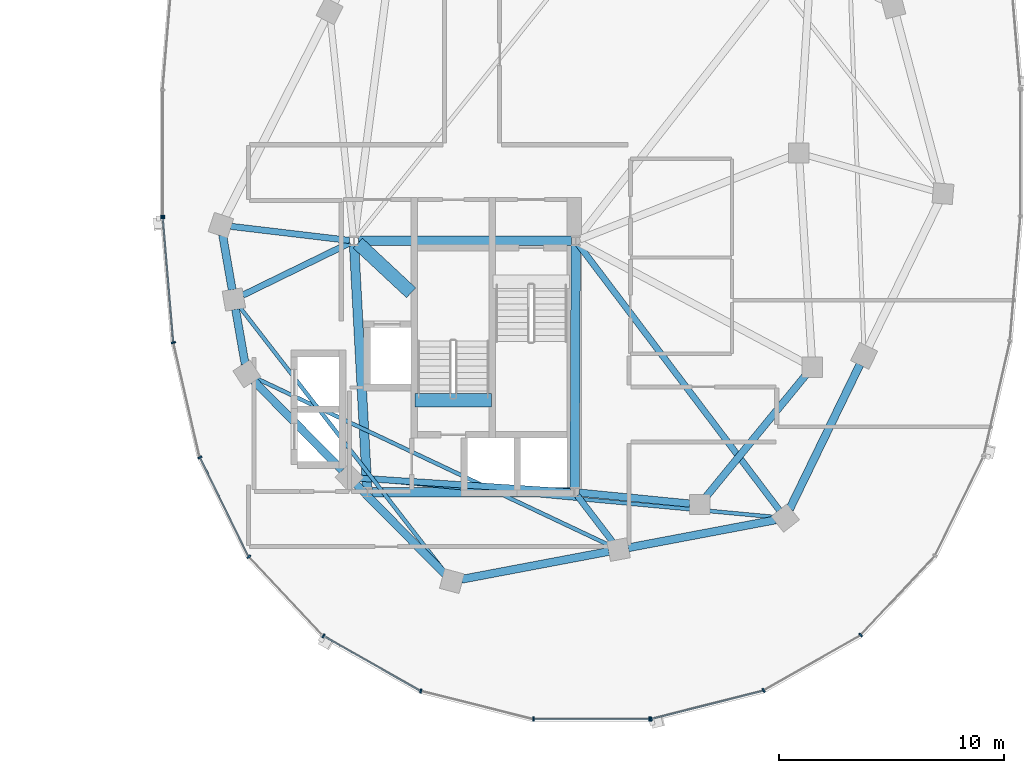
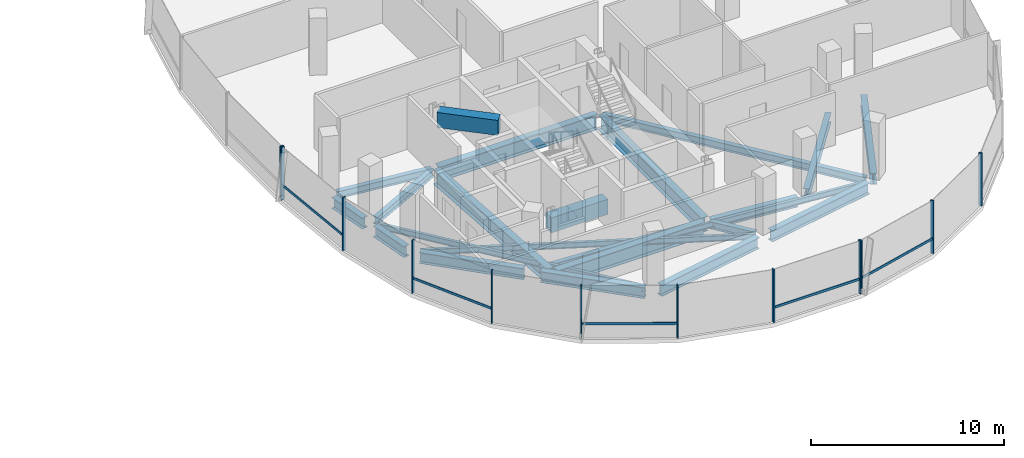
# One storey, part 8 of 25: 23 beams, 17 members, 3 elements without a shape of their own.
"""IFC4 building model written with IfcOpenShell, lengths in metres."""

from ifc_helpers import new_model, si_unit, direction, frame, origin, origin_2d, place, context, subcontext, project, spatial, rectangle, i_section, extrude, material, material_profile, profile_set, type_object, element, aggregate, save


model = new_model("IFC4")

# Units and contexts
model_context = context("Model", 3, precision=1e-05, world=origin(), true_north=direction((0.0, 1.0)))
body_context = subcontext(model_context, "Body", "Model", "MODEL_VIEW")
ifc_project = project(units=[si_unit("LENGTHUNIT", "METRE"), si_unit("AREAUNIT", "SQUARE_METRE"), si_unit("VOLUMEUNIT", "CUBIC_METRE"), si_unit("PLANEANGLEUNIT", "RADIAN"), si_unit("MASSUNIT", "GRAM", prefix="KILO"), si_unit("THERMODYNAMICTEMPERATUREUNIT", "KELVIN"), si_unit("POWERUNIT", "WATT")], contexts=[model_context])

# Site, building, storey
site_placement = place(None, origin())
site = spatial("IfcSite", under=ifc_project, at=site_placement, CompositionType="ELEMENT")
building_placement = place(site_placement, origin())
building = spatial("IfcBuilding", under=site, at=building_placement, Name="Cundina Bronze Exchange", CompositionType="ELEMENT")
storey_placement = place(building_placement, frame((0.0, 0.0, 206.199951171875)))
storey = spatial("IfcBuildingStorey", under=building, at=storey_placement, Name="L54", CompositionType="ELEMENT", Elevation=206.199951171875)

# Beams
ifc_material_1 = material(Name="Concrete C60/75", Category="concrete")
ifc_material_profile_1 = material_profile(ifc_material_1, rectangle(XDim=0.60009765625, YDim=0.949951171875, at=origin_2d()), Name="RC600X950", Category="concrete")
ifc_profile_set_1 = profile_set([ifc_material_profile_1], Name="Concrete C60/75")
beam_type_1 = type_object("IfcBeamType", Name="BM-COUP-RC950", PredefinedType="LINTEL", material=ifc_profile_set_1)
beam_1_placement = place(storey_placement, frame((24.159912109375, -10.97998046875, -0.474853515625), z_axis=(1.0, 0.0, 0.0), x_axis=(0.0, 1.0, 0.0)))
element("IfcBeam", 1, at=beam_1_placement, inside=storey, type_object=beam_type_1, Name="L54 Stair E2 Landing Header Beam", PredefinedType="LINTEL", context=body_context, shape_type="SweptSolid", body=[
    extrude(rectangle(XDim=0.60009765625, YDim=0.949951171875, at=origin_2d()), origin(), (0.0, 0.0, 1.0), 3.400146484375),
])
beam_2_placement = place(storey_placement, frame((21.6298828125, -4.0, 2.864990234375), z_axis=(0.731490439815, -0.681851696822, 0.0), x_axis=(0.681851696822, 0.731490439815, 0.0)))
element("IfcBeam", 2, at=beam_2_placement, inside=storey, type_object=beam_type_1, Name="L54 E Core Shear Coupling Lintel Beam", PredefinedType="LINTEL", context=body_context, shape_type="SweptSolid", body=[
    extrude(rectangle(XDim=0.60009765625, YDim=0.949951171875, at=origin_2d()), origin(), (0.0, 0.0, 1.0), 3.226318359375),
])
ifc_material_2 = material(Name="Steel ASTM A992 Grade 50", Category="steel")
ifc_material_profile_2 = material_profile(ifc_material_2, i_section(OverallWidth=0.280029296875, OverallDepth=0.462890625, WebThickness=0.0107421875, FlangeThickness=0.017333984375, FilletRadius=0.011962890625, at=origin_2d()), Name="W18X76", Category="steel")
ifc_profile_set_2 = profile_set([ifc_material_profile_2], Name="Steel ASTM A992 Grade 50")
beam_type_2 = type_object("IfcBeamType", Name="BM-FLR-W18A", PredefinedType="BEAM", material=ifc_profile_set_2)
beam_3_placement = place(storey_placement, frame((21.25537109375, -3.876953125, -0.491455078125), z_axis=(-0.993036786722, 0.117804669761, 0.0), x_axis=(-0.117804669761, -0.993036786722, 0.0)))
element("IfcBeam", 3, at=beam_3_placement, inside=storey, type_object=beam_type_2, Name="L54 Leg E Chordal Floor Beam 00", PredefinedType="BEAM", context=body_context, shape_type="SweptSolid", body=[
    extrude(i_section(OverallWidth=0.280029296875, OverallDepth=0.462890625, WebThickness=0.0107421875, FlangeThickness=0.017333984375, FilletRadius=0.011962890625, at=origin_2d()), origin(), (0.0, 0.0, 1.0), 5.307373046875),
])
beam_4_placement = place(storey_placement, frame((21.27392578125, -3.986083984375, -0.491455078125), z_axis=(-0.898613202677, -0.438741737214, 0.0), x_axis=(0.438741737214, -0.898613202677, 0.0)))
element("IfcBeam", 4, at=beam_4_placement, inside=storey, type_object=beam_type_2, Name="L54 Leg E Chordal Floor Beam 01", PredefinedType="BEAM", context=body_context, shape_type="SweptSolid", body=[
    extrude(i_section(OverallWidth=0.280029296875, OverallDepth=0.462890625, WebThickness=0.0107421875, FlangeThickness=0.017333984375, FilletRadius=0.011962890625, at=origin_2d()), origin(), (0.0, 0.0, 1.0), 5.2919921875),
])
beam_5_placement = place(storey_placement, frame((31.054443359375, -15.037353515625, -0.491455078125), z_axis=(-0.997894145252, 0.064863509559, 0.0), x_axis=(-0.064863509559, -0.997894145252, 0.0)))
element("IfcBeam", 5, at=beam_5_placement, inside=storey, type_object=beam_type_2, Name="L54 Leg E Chordal Floor Beam 03", PredefinedType="BEAM", context=body_context, shape_type="SweptSolid", body=[
    extrude(i_section(OverallWidth=0.280029296875, OverallDepth=0.462890625, WebThickness=0.0107421875, FlangeThickness=0.017333984375, FilletRadius=0.011962890625, at=origin_2d()), origin(), (0.0, 0.0, 1.0), 9.38720703125),
])
beam_6_placement = place(storey_placement, frame((31.369140625, -15.205810546875, -0.491455078125), z_axis=(0.60740437517, -0.794392802727, 0.0), x_axis=(0.794392802727, 0.60740437517, 0.0)))
element("IfcBeam", 6, at=beam_6_placement, inside=storey, type_object=beam_type_2, Name="L54 Leg E Chordal Floor Beam 05", PredefinedType="BEAM", context=body_context, shape_type="SweptSolid", body=[
    extrude(i_section(OverallWidth=0.280029296875, OverallDepth=0.462890625, WebThickness=0.0107421875, FlangeThickness=0.017333984375, FilletRadius=0.011962890625, at=origin_2d()), origin(), (0.0, 0.0, 1.0), 2.575927734375),
])
beam_7_placement = place(storey_placement, frame((31.418212890625, -4.056396484375, -0.491455078125), z_axis=(0.603104943786, -0.797661849897, 0.0), x_axis=(0.797661849897, 0.603104943786, 0.0)))
element("IfcBeam", 7, at=beam_7_placement, inside=storey, type_object=beam_type_2, Name="L54 Leg E Chordal Floor Beam 06", PredefinedType="BEAM", context=body_context, shape_type="SweptSolid", body=[
    extrude(i_section(OverallWidth=0.280029296875, OverallDepth=0.462890625, WebThickness=0.0107421875, FlangeThickness=0.017333984375, FilletRadius=0.011962890625, at=origin_2d()), origin(), (0.0, 0.0, 1.0), 14.785888671875),
])
ifc_material_profile_3 = material_profile(ifc_material_2, i_section(OverallWidth=0.172119140625, OverallDepth=0.35791015625, WebThickness=0.0078125, FlangeThickness=0.01318359375, FilletRadius=0.010009765625, at=origin_2d()), Name="W14X38", Category="steel")
ifc_profile_set_3 = profile_set([ifc_material_profile_3], Name="Steel ASTM A992 Grade 50")
beam_type_3 = type_object("IfcBeamType", Name="BM-JST-W14", PredefinedType="JOIST", material=ifc_profile_set_3)
beam_8_placement = place(storey_placement, frame((16.39306640625, -6.846435546875, -0.43896484375), z_axis=(0.612085793291, -0.790791364174, 0.0), x_axis=(0.790791364174, 0.612085793291, 0.0)))
element("IfcBeam", 8, at=beam_8_placement, inside=storey, type_object=beam_type_3, Name="L54 Leg E Lobe Floor Joist 01-04", PredefinedType="JOIST", context=body_context, shape_type="SweptSolid", body=[
    extrude(i_section(OverallWidth=0.172119140625, OverallDepth=0.35791015625, WebThickness=0.0078125, FlangeThickness=0.01318359375, FilletRadius=0.010009765625, at=origin_2d()), origin(), (0.0, 0.0, 1.0), 14.9306640625),
])
beam_9_placement = place(storey_placement, frame((17.095947265625, -9.9873046875, -0.43896484375), z_axis=(0.904073747204, -0.427376484632, 0.0), x_axis=(0.427376484632, 0.904073747204, 0.0)))
element("IfcBeam", 9, at=beam_9_placement, inside=storey, type_object=beam_type_3, Name="L54 Leg E Lobe Floor Joist 02-05", PredefinedType="JOIST", context=body_context, shape_type="SweptSolid", body=[
    extrude(i_section(OverallWidth=0.172119140625, OverallDepth=0.35791015625, WebThickness=0.0078125, FlangeThickness=0.01318359375, FilletRadius=0.010009765625, at=origin_2d()), origin(), (0.0, 0.0, 1.0), 17.374755859375),
])
beam_10_placement = place(storey_placement, frame((21.68603515625, -14.440673828125, -0.43896484375), z_axis=(0.9957017803, -0.092617302415, 0.0), x_axis=(0.092617302415, 0.9957017803, 0.0)))
element("IfcBeam", 10, at=beam_10_placement, inside=storey, type_object=beam_type_3, Name="L54 Leg E Lobe Floor Joist 03-06", PredefinedType="JOIST", context=body_context, shape_type="SweptSolid", body=[
    extrude(i_section(OverallWidth=0.172119140625, OverallDepth=0.35791015625, WebThickness=0.0078125, FlangeThickness=0.01318359375, FilletRadius=0.010009765625, at=origin_2d()), origin(), (0.0, 0.0, 1.0), 18.5576171875),
])
ifc_material_profile_4 = material_profile(ifc_material_2, i_section(OverallWidth=0.324951171875, OverallDepth=0.615966796875, WebThickness=0.013916015625, FlangeThickness=0.021484375, FilletRadius=0.01611328125, at=origin_2d()), Name="W24X117", Category="steel")
ifc_profile_set_4 = profile_set([ifc_material_profile_4], Name="Steel ASTM A992 Grade 50")
beam_type_4 = type_object("IfcBeamType", Name="BM-RING-W24", PredefinedType="USERDEFINED", material=ifc_profile_set_4)
beam_11_placement = place(storey_placement, frame((31.445068359375, -15.0693359375, -0.56787109375), z_axis=(0.995123854478, -0.09863323096, 0.0), x_axis=(0.09863323096, 0.995123854478, 0.0)))
element("IfcBeam", 11, at=beam_11_placement, inside=storey, type_object=beam_type_4, Name="L54 E Inner Structural Ring Girder 01", ObjectType="GIRDER", PredefinedType="USERDEFINED", context=body_context, shape_type="SweptSolid", body=[
    extrude(i_section(OverallWidth=0.324951171875, OverallDepth=0.615966796875, WebThickness=0.013916015625, FlangeThickness=0.021484375, FilletRadius=0.01611328125, at=origin_2d()), origin(), (0.0, 0.0, 1.0), 4.943115234375),
])
beam_12_placement = place(storey_placement, frame((37.07763671875, -15.26123046875, -0.56787109375), z_axis=(0.633912590175, 0.77340469873, 0.0), x_axis=(-0.77340469873, 0.633912590175, 0.0)))
element("IfcBeam", 12, at=beam_12_placement, inside=storey, type_object=beam_type_4, Name="L54 E Inner Structural Ring Girder 02", ObjectType="GIRDER", PredefinedType="USERDEFINED", context=body_context, shape_type="SweptSolid", body=[
    extrude(i_section(OverallWidth=0.324951171875, OverallDepth=0.615966796875, WebThickness=0.013916015625, FlangeThickness=0.021484375, FilletRadius=0.01611328125, at=origin_2d()), origin(), (0.0, 0.0, 1.0), 7.01123046875),
])
ifc_material_profile_5 = material_profile(ifc_material_2, i_section(OverallWidth=0.35498046875, OverallDepth=0.695068359375, WebThickness=0.015380859375, FlangeThickness=0.02490234375, FilletRadius=0.01806640625, at=origin_2d()), Name="W27X146", Category="steel")
ifc_profile_set_5 = profile_set([ifc_material_profile_5], Name="Steel ASTM A992 Grade 50")
beam_type_5 = type_object("IfcBeamType", Name="BM-RING-W27", PredefinedType="USERDEFINED", material=ifc_profile_set_5)
for number, where, z_axis, x_axis, name in (
    (13, (15.625244140625, -3.631591796875, -0.607421875), (0.171628556628, -0.985161732179, 0.0), (0.985161732179, 0.171628556628, 0.0), "L54 E Perimeter Ring Girder 00"),
    (14, (16.2001953125, -6.931396484375, -0.607421875), (0.171628556628, -0.985161732179, 0.0), (0.985161732179, 0.171628556628, 0.0), "L54 E Perimeter Ring Girder 01"),
):
    element("IfcBeam", number, at=place(storey_placement, frame(where, z_axis=z_axis, x_axis=x_axis)), inside=storey, type_object=beam_type_5, Name=name, ObjectType="GIRDER", PredefinedType="USERDEFINED", context=body_context, shape_type="SweptSolid", body=[
        extrude(i_section(OverallWidth=0.35498046875, OverallDepth=0.695068359375, WebThickness=0.015380859375, FlangeThickness=0.02490234375, FilletRadius=0.01806640625, at=origin_2d()), origin(), (0.0, 0.0, 1.0), 2.4736328125),
    ])
for number, where, z_axis, x_axis, name in (
    (15, (17.008056640625, -10.111328125, -0.607421875), (0.703211928763, -0.710980297368, 0.0), (0.710980297368, 0.703211928763, 0.0), "L54 E Perimeter Ring Girder 02"),
    (16, (21.55810546875, -14.71142578125, -0.607421875), (0.703211928763, -0.710980297368, 0.0), (0.710980297368, 0.703211928763, 0.0), "L54 E Perimeter Ring Girder 03"),
):
    element("IfcBeam", number, at=place(storey_placement, frame(where, z_axis=z_axis, x_axis=x_axis)), inside=storey, type_object=beam_type_5, Name=name, ObjectType="GIRDER", PredefinedType="USERDEFINED", context=body_context, shape_type="SweptSolid", body=[
        extrude(i_section(OverallWidth=0.35498046875, OverallDepth=0.695068359375, WebThickness=0.015380859375, FlangeThickness=0.02490234375, FilletRadius=0.01806640625, at=origin_2d()), origin(), (0.0, 0.0, 1.0), 5.593994140625),
    ])
beam_13_placement = place(storey_placement, frame((26.23046875, -18.918701171875, -0.607421875), z_axis=(0.982565174657, 0.185918470175, 0.0), x_axis=(-0.185918470175, 0.982565174657, 0.0)))
element("IfcBeam", 17, at=beam_13_placement, inside=storey, type_object=beam_type_5, Name="L54 E Perimeter Ring Girder 04", ObjectType="GIRDER", PredefinedType="USERDEFINED", context=body_context, shape_type="SweptSolid", body=[
    extrude(i_section(OverallWidth=0.35498046875, OverallDepth=0.695068359375, WebThickness=0.015380859375, FlangeThickness=0.02490234375, FilletRadius=0.01806640625, at=origin_2d()), origin(), (0.0, 0.0, 1.0), 6.655029296875),
])
beam_14_placement = place(storey_placement, frame((33.63037109375, -17.5185546875, -0.607421875), z_axis=(0.982573143022, 0.185876353022, 0.0), x_axis=(-0.185876353022, 0.982573143022, 0.0)))
element("IfcBeam", 18, at=beam_14_placement, inside=storey, type_object=beam_type_5, Name="L54 E Perimeter Ring Girder 05", ObjectType="GIRDER", PredefinedType="USERDEFINED", context=body_context, shape_type="SweptSolid", body=[
    extrude(i_section(OverallWidth=0.35498046875, OverallDepth=0.695068359375, WebThickness=0.015380859375, FlangeThickness=0.02490234375, FilletRadius=0.01806640625, at=origin_2d()), origin(), (0.0, 0.0, 1.0), 6.6552734375),
])
beam_15_placement = place(storey_placement, frame((40.79150390625, -15.80615234375, -0.607421875), z_axis=(0.437173087764, 0.89937739094, 0.0), x_axis=(-0.89937739094, 0.437173087764, 0.0)))
element("IfcBeam", 19, at=beam_15_placement, inside=storey, type_object=beam_type_5, Name="L54 E Perimeter Ring Girder 06", ObjectType="GIRDER", PredefinedType="USERDEFINED", context=body_context, shape_type="SweptSolid", body=[
    extrude(i_section(OverallWidth=0.35498046875, OverallDepth=0.695068359375, WebThickness=0.015380859375, FlangeThickness=0.02490234375, FilletRadius=0.01806640625, at=origin_2d()), origin(), (0.0, 0.0, 1.0), 7.1298828125),
])
ifc_material_profile_6 = material_profile(ifc_material_2, i_section(OverallWidth=0.41796875, OverallDepth=0.927001953125, WebThickness=0.019287109375, FlangeThickness=0.031982421875, FilletRadius=0.02392578125, at=origin_2d()), Name="W36X231", Category="steel")
ifc_profile_set_6 = profile_set([ifc_material_profile_6], Name="Steel ASTM A992 Grade 50")
beam_type_6 = type_object("IfcBeamType", Name="BM-WRN-W36B", PredefinedType="USERDEFINED", material=ifc_profile_set_6)
beam_16_placement = place(storey_placement, frame((31.10400390625, -3.89990234375, -0.723388671875), z_axis=(-1.0, 0.0, 0.0), x_axis=(0.0, -1.0, 0.0)))
element("IfcBeam", 20, at=beam_16_placement, inside=storey, type_object=beam_type_6, Name="L54 E Core Perimeter Tie Girder 1", ObjectType="GIRDER", PredefinedType="USERDEFINED", context=body_context, shape_type="SweptSolid", body=[
    extrude(i_section(OverallWidth=0.41796875, OverallDepth=0.927001953125, WebThickness=0.019287109375, FlangeThickness=0.031982421875, FilletRadius=0.02392578125, at=origin_2d()), origin(), (0.0, 0.0, 1.0), 9.4580078125),
])
beam_17_placement = place(storey_placement, frame((21.46044921875, -4.095703125, -0.723388671875), z_axis=(0.053749317644, -0.998554460634, 0.0), x_axis=(0.998554460634, 0.053749317644, 0.0)))
element("IfcBeam", 21, at=beam_17_placement, inside=storey, type_object=beam_type_6, Name="L54 E Core Perimeter Tie Girder 2", ObjectType="GIRDER", PredefinedType="USERDEFINED", context=body_context, shape_type="SweptSolid", body=[
    extrude(i_section(OverallWidth=0.41796875, OverallDepth=0.927001953125, WebThickness=0.019287109375, FlangeThickness=0.031982421875, FilletRadius=0.02392578125, at=origin_2d()), origin(), (0.0, 0.0, 1.0), 10.774169921875),
])
beam_18_placement = place(storey_placement, frame((22.24609375, -15.050048828125, -0.723388671875), z_axis=(1.0, 0.0, 0.0), x_axis=(0.0, 1.0, 0.0)))
element("IfcBeam", 22, at=beam_18_placement, inside=storey, type_object=beam_type_6, Name="L54 E Core Perimeter Tie Girder 3", ObjectType="GIRDER", PredefinedType="USERDEFINED", context=body_context, shape_type="SweptSolid", body=[
    extrude(i_section(OverallWidth=0.41796875, OverallDepth=0.927001953125, WebThickness=0.019287109375, FlangeThickness=0.031982421875, FilletRadius=0.02392578125, at=origin_2d()), origin(), (0.0, 0.0, 1.0), 8.807861328125),
])
beam_19_placement = place(storey_placement, frame((31.2509765625, -14.85400390625, -0.723388671875), z_axis=(0.004470623654, 0.999990006712, 0.0), x_axis=(-0.999990006712, 0.004470623654, 0.0)))
element("IfcBeam", 23, at=beam_19_placement, inside=storey, type_object=beam_type_6, Name="L54 E Core Perimeter Tie Girder 4", ObjectType="GIRDER", PredefinedType="USERDEFINED", context=body_context, shape_type="SweptSolid", body=[
    extrude(i_section(OverallWidth=0.41796875, OverallDepth=0.927001953125, WebThickness=0.019287109375, FlangeThickness=0.031982421875, FilletRadius=0.02392578125, at=origin_2d()), origin(), (0.0, 0.0, 1.0), 10.758056640625),
])

# Curtain wall, member
ifc_material_3 = material(Name="Anodised Bronze Aluminium 6063-T6", Category="aluminium")
curtain_wall_type = type_object("IfcCurtainWallType", Name="CWS-UPP-OFF", PredefinedType="NOTDEFINED", material=ifc_material_3)
curtain_wall_1_placement = place(storey_placement, origin())
curtain_wall_1 = element("IfcCurtainWall", 24, at=curtain_wall_1_placement, inside=storey, type_object=curtain_wall_type, Name="L54 CW-05 Curtain Wall Run CWR-L54-E2", PredefinedType="NOTDEFINED")
ifc_material_profile_7 = material_profile(ifc_material_3, rectangle(XDim=0.070068359375, YDim=0.18994140625, at=origin_2d()), Name="AL70X190", Category="aluminium")
ifc_profile_set_7 = profile_set([ifc_material_profile_7], Name="Anodised Bronze Aluminium 6063-T6")
member_type_1 = type_object("IfcMemberType", Name="CWM-MUL-190", PredefinedType="MULLION", material=ifc_profile_set_7)
member_1_placement = place(storey_placement, frame((12.966064453125, -2.794921875, 0.0), z_axis=(0.0, 0.0, 1.0), x_axis=(0.0, -1.0, 0.0)))
member_1 = element("IfcMember", 25, at=member_1_placement, type_object=member_type_1, Name="CW-05 End Mullion", PredefinedType="MULLION", context=body_context, shape_type="SweptSolid", body=[
    extrude(rectangle(XDim=0.070068359375, YDim=0.18994140625, at=origin_2d()), origin(), (0.0, 0.0, 1.0), 3.340087890625),
])
aggregate(curtain_wall_1, [member_1])

# Curtain wall, members
curtain_wall_2_placement = place(storey_placement, origin())
curtain_wall_2 = element("IfcCurtainWall", 26, at=curtain_wall_2_placement, inside=storey, type_object=curtain_wall_type, Name="L54 CW-05 Curtain Wall Run CWR-L54-E3", PredefinedType="NOTDEFINED")
member_2_placement = place(storey_placement, frame((12.9697265625, -2.88330078125, 0.0), z_axis=(0.0, 0.0, 1.0), x_axis=(0.083677843332, -0.99649285925, 0.0)))
member_2 = element("IfcMember", 27, at=member_2_placement, type_object=member_type_1, Name="CW-05 Mullion 1", PredefinedType="MULLION", context=body_context, shape_type="SweptSolid", body=[
    extrude(rectangle(XDim=0.070068359375, YDim=0.18994140625, at=origin_2d()), origin(), (0.0, 0.0, 1.0), 3.340087890625),
])
member_3_placement = place(storey_placement, frame((13.43994140625, -8.4111328125, 0.0), z_axis=(0.0, 0.0, 1.0), x_axis=(0.223250116011, -0.974761194191, 0.0)))
member_3 = element("IfcMember", 28, at=member_3_placement, type_object=member_type_1, Name="CW-05 Mullion 2", PredefinedType="MULLION", context=body_context, shape_type="SweptSolid", body=[
    extrude(rectangle(XDim=0.070068359375, YDim=0.18994140625, at=origin_2d()), origin(), (0.0, 0.0, 1.0), 3.340087890625),
])
member_4_placement = place(storey_placement, frame((14.61572265625, -13.50732421875, 0.0), z_axis=(0.0, 0.0, 1.0), x_axis=(0.440566004113, -0.897720221461, 0.0)))
member_4 = element("IfcMember", 29, at=member_4_placement, type_object=member_type_1, Name="CW-05 Mullion 3", PredefinedType="MULLION", context=body_context, shape_type="SweptSolid", body=[
    extrude(rectangle(XDim=0.070068359375, YDim=0.18994140625, at=origin_2d()), origin(), (0.0, 0.0, 1.0), 3.340087890625),
])
member_5_placement = place(storey_placement, frame((16.790283203125, -17.91796875, 0.0), z_axis=(0.0, 0.0, 1.0), x_axis=(0.684292606175, -0.729207535023, 0.0)))
member_5 = element("IfcMember", 30, at=member_5_placement, type_object=member_type_1, Name="CW-05 Mullion 4", PredefinedType="MULLION", context=body_context, shape_type="SweptSolid", body=[
    extrude(rectangle(XDim=0.070068359375, YDim=0.18994140625, at=origin_2d()), origin(), (0.0, 0.0, 1.0), 3.340087890625),
])
member_6_placement = place(storey_placement, frame((20.100341796875, -21.43115234375, 0.0), z_axis=(0.0, 0.0, 1.0), x_axis=(0.86958112538, -0.493790103568, 0.0)))
member_6 = element("IfcMember", 31, at=member_6_placement, type_object=member_type_1, Name="CW-05 Mullion 5", PredefinedType="MULLION", context=body_context, shape_type="SweptSolid", body=[
    extrude(rectangle(XDim=0.070068359375, YDim=0.18994140625, at=origin_2d()), origin(), (0.0, 0.0, 1.0), 3.340087890625),
])
member_7_placement = place(storey_placement, frame((24.422607421875, -23.87548828125, 0.0), z_axis=(0.0, 0.0, 1.0), x_axis=(0.969744325821, -0.244122802168, 0.0)))
member_7 = element("IfcMember", 32, at=member_7_placement, type_object=member_type_1, Name="CW-05 Mullion 6", PredefinedType="MULLION", context=body_context, shape_type="SweptSolid", body=[
    extrude(rectangle(XDim=0.070068359375, YDim=0.18994140625, at=origin_2d()), origin(), (0.0, 0.0, 1.0), 3.340087890625),
])
member_8_placement = place(storey_placement, frame((29.419921875, -25.125, 0.0), z_axis=(0.0, 0.0, 1.0), x_axis=(1.0, 0.0, 0.0)))
member_8 = element("IfcMember", 33, at=member_8_placement, type_object=member_type_1, Name="CW-05 Mullion 7", PredefinedType="MULLION", context=body_context, shape_type="SweptSolid", body=[
    extrude(rectangle(XDim=0.070068359375, YDim=0.18994140625, at=origin_2d()), origin(), (0.0, 0.0, 1.0), 3.340087890625),
])
member_9_placement = place(storey_placement, frame((34.580078125, -25.125, 0.0), z_axis=(0.0, 0.0, 1.0), x_axis=(1.0, 0.0, 0.0)))
member_9 = element("IfcMember", 34, at=member_9_placement, type_object=member_type_1, Name="CW-05 End Mullion", PredefinedType="MULLION", context=body_context, shape_type="SweptSolid", body=[
    extrude(rectangle(XDim=0.070068359375, YDim=0.18994140625, at=origin_2d()), origin(), (0.0, 0.0, 1.0), 3.340087890625),
])

curtain_wall_3_placement = place(storey_placement, origin())
curtain_wall_3 = element("IfcCurtainWall", 35, at=curtain_wall_3_placement, inside=storey, type_object=curtain_wall_type, Name="L54 CW-05 Curtain Wall Run CWR-L54-E4", PredefinedType="NOTDEFINED")
member_10_placement = place(storey_placement, frame((34.6484375, -25.116455078125, 0.0), z_axis=(0.0, 0.0, 1.0), x_axis=(0.969744325821, 0.244122802168, 0.0)))
member_10 = element("IfcMember", 36, at=member_10_placement, type_object=member_type_1, Name="CW-05 Mullion 1", PredefinedType="MULLION", context=body_context, shape_type="SweptSolid", body=[
    extrude(rectangle(XDim=0.070068359375, YDim=0.18994140625, at=origin_2d()), origin(), (0.0, 0.0, 1.0), 3.340087890625),
])
member_11_placement = place(storey_placement, frame((39.638916015625, -23.850830078125, 0.0), z_axis=(0.0, 0.0, 1.0), x_axis=(0.86958112538, 0.493790103568, 0.0)))
member_11 = element("IfcMember", 37, at=member_11_placement, type_object=member_type_1, Name="CW-05 Mullion 2", PredefinedType="MULLION", context=body_context, shape_type="SweptSolid", body=[
    extrude(rectangle(XDim=0.070068359375, YDim=0.18994140625, at=origin_2d()), origin(), (0.0, 0.0, 1.0), 3.340087890625),
])
member_12_placement = place(storey_placement, frame((43.94873046875, -21.392578125, 0.0), z_axis=(0.0, 0.0, 1.0), x_axis=(0.684292606175, 0.729207535023, 0.0)))
member_12 = element("IfcMember", 38, at=member_12_placement, type_object=member_type_1, Name="CW-05 Mullion 3", PredefinedType="MULLION", context=body_context, shape_type="SweptSolid", body=[
    extrude(rectangle(XDim=0.070068359375, YDim=0.18994140625, at=origin_2d()), origin(), (0.0, 0.0, 1.0), 3.340087890625),
])

# Member
ifc_material_profile_8 = material_profile(ifc_material_3, rectangle(XDim=0.06494140625, YDim=0.14990234375, at=origin_2d()), Name="AL65X150", Category="aluminium")
ifc_profile_set_8 = profile_set([ifc_material_profile_8], Name="Anodised Bronze Aluminium 6063-T6")
member_type_2 = type_object("IfcMemberType", Name="CWM-TRN-150", PredefinedType="USERDEFINED", material=ifc_profile_set_8)
member_13_placement = place(storey_placement, frame((12.972900390625, -2.921630859375, 0.920166015625), z_axis=(0.083740331158, -0.996487610027, 0.0), x_axis=(0.996487610027, 0.083740331158, 0.0)))
member_13 = element("IfcMember", 39, at=member_13_placement, type_object=member_type_2, Name="CW-05 Spandrel Transom 1", ObjectType="TRANSOM", PredefinedType="USERDEFINED", context=body_context, shape_type="SweptSolid", body=[
    extrude(rectangle(XDim=0.06494140625, YDim=0.14990234375, at=origin_2d()), origin(), (0.0, 0.0, 1.0), 5.466552734375),
])

member_14_placement = place(storey_placement, frame((14.6328125, -13.5419921875, 0.920166015625), z_axis=(0.440483110889, -0.897760897467, 0.0), x_axis=(0.897760897467, 0.440483110889, 0.0)))
member_14 = element("IfcMember", 40, at=member_14_placement, type_object=member_type_2, Name="CW-05 Spandrel Transom 3", ObjectType="TRANSOM", PredefinedType="USERDEFINED", context=body_context, shape_type="SweptSolid", body=[
    extrude(rectangle(XDim=0.06494140625, YDim=0.14990234375, at=origin_2d()), origin(), (0.0, 0.0, 1.0), 4.855224609375),
])

member_15_placement = place(storey_placement, frame((20.1337890625, -21.4501953125, 0.920166015625), z_axis=(0.869573748083, -0.493803095013, 0.0), x_axis=(0.493803095013, 0.869573748083, 0.0)))
member_15 = element("IfcMember", 41, at=member_15_placement, type_object=member_type_2, Name="CW-05 Spandrel Transom 5", ObjectType="TRANSOM", PredefinedType="USERDEFINED", context=body_context, shape_type="SweptSolid", body=[
    extrude(rectangle(XDim=0.06494140625, YDim=0.14990234375, at=origin_2d()), origin(), (0.0, 0.0, 1.0), 4.900146484375),
])

member_16_placement = place(storey_placement, frame((29.45849609375, -25.125, 0.920166015625), z_axis=(1.0, 0.0, 0.0), x_axis=(0.0, 1.0, 0.0)))
member_16 = element("IfcMember", 42, at=member_16_placement, type_object=member_type_2, Name="CW-05 Spandrel Transom 7", ObjectType="TRANSOM", PredefinedType="USERDEFINED", context=body_context, shape_type="SweptSolid", body=[
    extrude(rectangle(XDim=0.06494140625, YDim=0.14990234375, at=origin_2d()), origin(), (0.0, 0.0, 1.0), 5.0830078125),
])

aggregate(curtain_wall_2, [member_2, member_13, member_3, member_4, member_14, member_5, member_6, member_15, member_7, member_8, member_9, member_16])

member_17_placement = place(storey_placement, frame((34.685791015625, -25.107177734375, 0.920166015625), z_axis=(0.969725738797, 0.244196624699, 0.0), x_axis=(-0.244196624699, 0.969725738797, 0.0)))
member_17 = element("IfcMember", 43, at=member_17_placement, type_object=member_type_2, Name="CW-05 Spandrel Transom 1", ObjectType="TRANSOM", PredefinedType="USERDEFINED", context=body_context, shape_type="SweptSolid", body=[
    extrude(rectangle(XDim=0.06494140625, YDim=0.14990234375, at=origin_2d()), origin(), (0.0, 0.0, 1.0), 5.082763671875),
])

aggregate(curtain_wall_3, [member_10, member_17, member_11, member_12])

save(model, "model.ifc")
